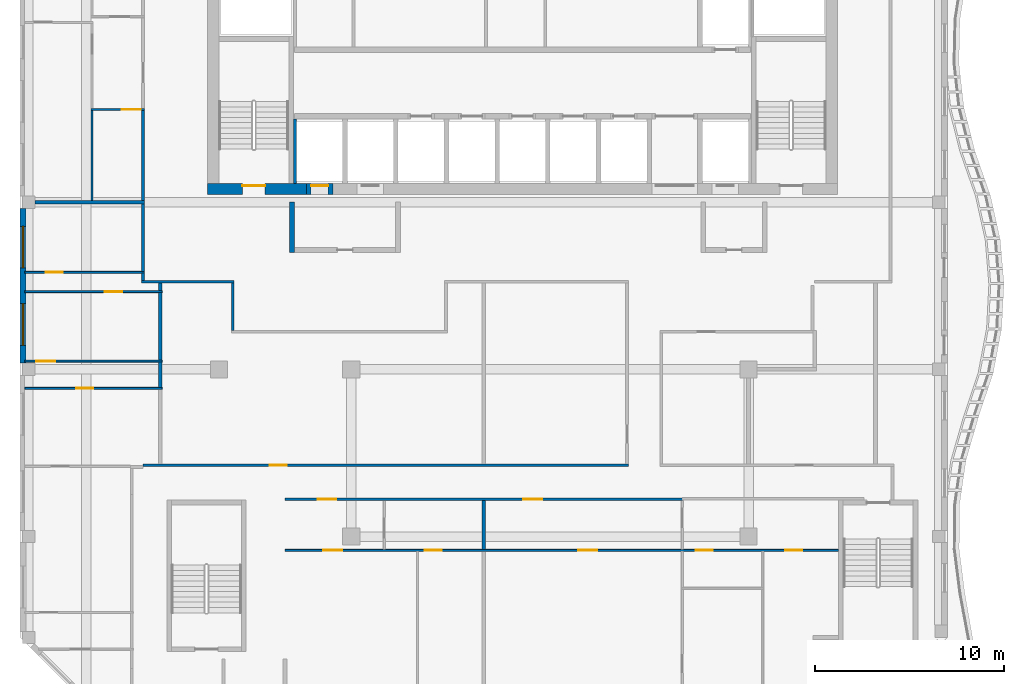
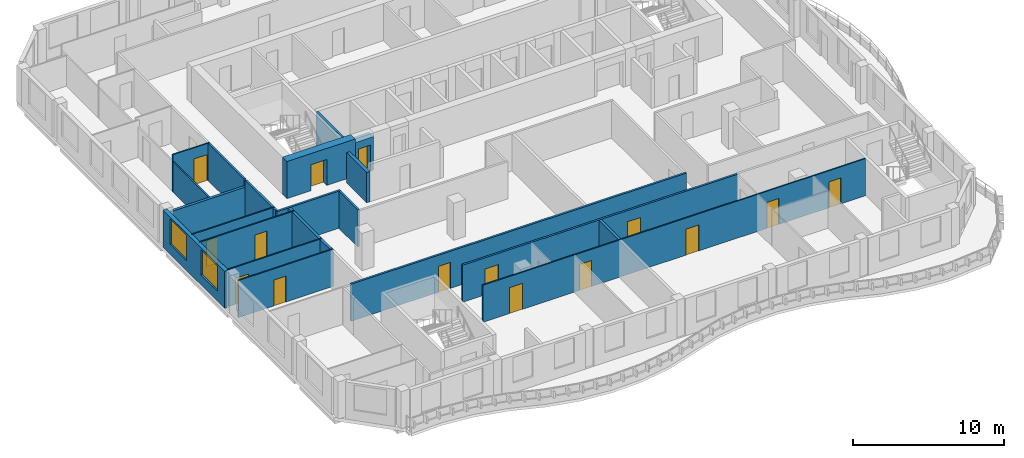
# One storey, part 3 of 13: 24 walls, 15 doors, 2 windows, 17 openings.
"""IFC4 building model written with IfcOpenShell, lengths in metres."""

from ifc_helpers import new_model, si_unit, direction, frame, frame_2d, origin, place, context, subcontext, project, spatial, rectangle, extrude, source, transform, mapped, material, layer, layer_set, type_object, element, fill, save


model = new_model("IFC4")

# Units and contexts
model_context = context("Model", 3, precision=1e-05, world=origin(), true_north=direction((0.0, 1.0)))
body_context = subcontext(model_context, "Body", "Model", "MODEL_VIEW")
ifc_project = project(units=[si_unit("LENGTHUNIT", "METRE"), si_unit("AREAUNIT", "SQUARE_METRE"), si_unit("VOLUMEUNIT", "CUBIC_METRE"), si_unit("PLANEANGLEUNIT", "RADIAN"), si_unit("MASSUNIT", "GRAM", prefix="KILO")], contexts=[model_context])

# Site, building, storey
site_placement = place(None, origin())
site = spatial("IfcSite", under=ifc_project, at=site_placement, CompositionType="ELEMENT")
building_placement = place(site_placement, origin())
building = spatial("IfcBuilding", under=site, at=building_placement, Name="Kilnfold Tower and Market Hall", CompositionType="ELEMENT")
storey_placement = place(building_placement, frame((0.0, 0.0, 287.39990234375)))
storey = spatial("IfcBuildingStorey", under=building, at=storey_placement, Name="L71", CompositionType="ELEMENT", Elevation=287.39990234375)

# Wall, opening, door
ifc_material_1 = material(Name="Gypsum board on steel studs", Category="steel")
ifc_layer_1 = layer(ifc_material_1, 0.14990234375)
ifc_layer_set_1 = layer_set([ifc_layer_1], Name="Gypsum board on steel studs")
wall_type_1 = type_object("IfcWallType", Name="WALL CORRIDOR 150", PredefinedType="PARTITIONING", material=ifc_layer_set_1)
wall_1_placement = place(storey_placement, frame((-19.0, -5.89990234375, 0.0), z_axis=(0.0, 0.0, 1.0), x_axis=(1.0, 0.0, 0.0)))
wall_1 = element("IfcWall", 1, at=wall_1_placement, inside=storey, type_object=wall_type_1, Name="Partition LY43.10", PredefinedType="PARTITIONING", context=body_context, shape_type="SweptSolid", body=[
    extrude(rectangle(XDim=25.655029296875, YDim=0.14990234375, at=frame_2d((12.82763671875, 0.0))), origin(), (0.0, 0.0, 1.0), 3.0),
])
opening_1_placement = place(wall_1_placement, frame((6.697021484375, 0.0, 0.0)))
opening_1 = element("IfcOpeningElement", 2, at=opening_1_placement, cuts=wall_1, Name="Opening D2", PredefinedType="OPENING", context=body_context, shape_type="SweptSolid", body=[
    extrude(rectangle(XDim=0.89990234375, YDim=2.10009765625, at=frame_2d((0.449951171875, 1.050048828125))), frame((0.0, 0.0849609375, 0.0), z_axis=(0.0, -1.0, 0.0), x_axis=(1.0, 0.0, 0.0)), (0.0, 0.0, 1.0), 0.169921875),
])
ifc_material_2 = material(Name="Timber veneer door leaf in steel frame", Category="steel")
door_type_1 = type_object("IfcDoorType", Name="DOOR ROOM 900 X2100", OperationType="NOTDEFINED", PredefinedType="DOOR", material=ifc_material_2)
door_1_placement = place(opening_1_placement, origin())
door_1 = element("IfcDoor", 3, at=door_1_placement, inside=storey, type_object=door_type_1, Name="Door D2", OperationType="SINGLE_SWING_LEFT", OverallHeight=2.10009765625, OverallWidth=0.89990234375, PredefinedType="DOOR", context=body_context, shape_type="SweptSolid", body=[
    extrude(rectangle(XDim=0.89990234375, YDim=2.10009765625, at=frame_2d((0.449951171875, 1.050048828125))), frame((0.0, 0.02490234375, 0.0), z_axis=(0.0, -1.0, 0.0), x_axis=(1.0, 0.0, 0.0)), (0.0, 0.0, 1.0), 0.050048828125),
])
fill(opening_1, door_1)

# Walls
wall_2_placement = place(storey_placement, frame((-19.074951171875, 3.800048828125, 0.0), z_axis=(0.0, 0.0, 1.0), x_axis=(1.0, 0.0, 0.0)))
element("IfcWall", 4, at=wall_2_placement, inside=storey, type_object=wall_type_1, Name="Partition LY43.11", PredefinedType="PARTITIONING", context=body_context, shape_type="SweptSolid", body=[
    extrude(rectangle(XDim=4.889892578125, YDim=0.14990234375, at=frame_2d((2.44482421875, 0.0))), origin(), (0.0, 0.0, 1.0), 3.0),
])
wall_3_placement = place(storey_placement, frame((-19.0, 3.875, 0.0), z_axis=(0.0, 0.0, 1.0), x_axis=(0.0, 1.0, 0.0)))
element("IfcWall", 5, at=wall_3_placement, inside=storey, type_object=wall_type_1, Name="Partition LY43.12", PredefinedType="PARTITIONING", context=body_context, shape_type="SweptSolid", body=[
    extrude(rectangle(XDim=0.376953125, YDim=0.14990234375, at=frame_2d((0.1884765625, 0.0))), origin(), (0.0, 0.0, 1.0), 3.0),
])
wall_4_placement = place(storey_placement, frame((-19.0, 4.33203125, 0.0), z_axis=(0.0, 0.0, 1.0), x_axis=(0.0, 1.0, 0.0)))
element("IfcWall", 6, at=wall_4_placement, inside=storey, type_object=wall_type_1, Name="Partition LY43.13", PredefinedType="PARTITIONING", context=body_context, shape_type="SweptSolid", body=[
    extrude(rectangle(XDim=3.577880859375, YDim=0.14990234375, at=frame_2d((1.7890625, 0.0))), origin(), (0.0, 0.0, 1.0), 3.0),
])

# Wall, openings, doors
wall_5_placement = place(storey_placement, frame((-11.510009765625, -7.699951171875, 0.0), z_axis=(0.0, 0.0, 1.0), x_axis=(1.0, 0.0, 0.0)))
wall_5 = element("IfcWall", 7, at=wall_5_placement, inside=storey, type_object=wall_type_1, Name="Partition LY43.14", PredefinedType="PARTITIONING", context=body_context, shape_type="SweptSolid", body=[
    extrude(rectangle(XDim=21.02001953125, YDim=0.14990234375, at=frame_2d((10.510009765625, 0.0))), origin(), (0.0, 0.0, 1.0), 3.0),
])
opening_2_placement = place(wall_5_placement, frame((1.72802734375, 0.0, 0.0)))
opening_2 = element("IfcOpeningElement", 8, at=opening_2_placement, cuts=wall_5, Name="Opening D1", PredefinedType="OPENING", context=body_context, shape_type="SweptSolid", body=[
    extrude(rectangle(XDim=1.0, YDim=2.10009765625, at=frame_2d((0.5, 1.050048828125))), frame((0.0, 0.0849609375, 0.0), z_axis=(0.0, -1.0, 0.0), x_axis=(1.0, 0.0, 0.0)), (0.0, 0.0, 1.0), 0.169921875),
])
opening_3_placement = place(wall_5_placement, frame((12.60400390625, 0.0, 0.0)))
opening_3 = element("IfcOpeningElement", 9, at=opening_3_placement, cuts=wall_5, Name="Opening D1", PredefinedType="OPENING", context=body_context, shape_type="SweptSolid", body=[
    extrude(rectangle(XDim=1.0, YDim=2.10009765625, at=frame_2d((0.5, 1.050048828125))), frame((0.0, 0.0849609375, 0.0), z_axis=(0.0, -1.0, 0.0), x_axis=(1.0, 0.0, 0.0)), (0.0, 0.0, 1.0), 0.169921875),
])
ifc_material_3 = material(Name="Timber veneer door leaf in steel frame", Category="steel")
door_type_2 = type_object("IfcDoorType", Name="DOOR ENTRY 1000 X2100", OperationType="NOTDEFINED", PredefinedType="DOOR", material=ifc_material_3)
door_2_placement = place(opening_2_placement, origin())
door_2 = element("IfcDoor", 10, at=door_2_placement, inside=storey, type_object=door_type_2, Name="Door D1", OperationType="SINGLE_SWING_RIGHT", OverallHeight=2.10009765625, OverallWidth=1.0, PredefinedType="DOOR", context=body_context, shape_type="SweptSolid", body=[
    extrude(rectangle(XDim=1.0, YDim=2.10009765625, at=frame_2d((0.5, 1.050048828125))), frame((0.0, 0.02490234375, 0.0), z_axis=(0.0, -1.0, 0.0), x_axis=(1.0, 0.0, 0.0)), (0.0, 0.0, 1.0), 0.050048828125),
])
fill(opening_2, door_2)
door_3_placement = place(opening_3_placement, origin())
door_3 = element("IfcDoor", 11, at=door_3_placement, inside=storey, type_object=door_type_2, Name="Door D1", OperationType="SINGLE_SWING_RIGHT", OverallHeight=2.10009765625, OverallWidth=1.0, PredefinedType="DOOR", context=body_context, shape_type="SweptSolid", body=[
    extrude(rectangle(XDim=1.0, YDim=2.10009765625, at=frame_2d((0.5, 1.050048828125))), frame((0.0, 0.02490234375, 0.0), z_axis=(0.0, -1.0, 0.0), x_axis=(1.0, 0.0, 0.0)), (0.0, 0.0, 1.0), 0.050048828125),
])
fill(opening_3, door_3)

# Walls
wall_6_placement = place(storey_placement, frame((-19.0, 8.090087890625, 0.0), z_axis=(0.0, 0.0, 1.0), x_axis=(0.0, 1.0, 0.0)))
element("IfcWall", 12, at=wall_6_placement, inside=storey, type_object=wall_type_1, Name="Partition LY43.20", PredefinedType="PARTITIONING", context=body_context, shape_type="SweptSolid", body=[
    extrude(rectangle(XDim=4.77001953125, YDim=0.14990234375, at=frame_2d((2.385009765625, 0.0))), origin(), (0.0, 0.0, 1.0), 3.0),
])
wall_7_placement = place(storey_placement, frame((-14.260009765625, 3.72509765625, 0.0), z_axis=(0.0, 0.0, 1.0), x_axis=(0.0, -1.0, 0.0)))
element("IfcWall", 13, at=wall_7_placement, inside=storey, type_object=wall_type_1, Name="Partition LY43.28", PredefinedType="PARTITIONING", context=body_context, shape_type="SweptSolid", body=[
    extrude(rectangle(XDim=2.5, YDim=0.14990234375, at=frame_2d((1.25, 0.0))), origin(), (0.0, 0.0, 1.0), 3.0),
])

# Wall, opening, door
ifc_material_4 = material(Name="Gypsum board on steel studs", Category="steel")
ifc_layer_2 = layer(ifc_material_4, 0.10009765625)
ifc_layer_set_2 = layer_set([ifc_layer_2], Name="Gypsum board on steel studs")
wall_type_2 = type_object("IfcWallType", Name="WALL PARTITION 100", PredefinedType="PARTITIONING", material=ifc_layer_set_2)
wall_8_placement = place(storey_placement, frame((-18.0, -1.842041015625, 0.0), z_axis=(0.0, 0.0, 1.0), x_axis=(-1.0, 0.0, 0.0)))
wall_8 = element("IfcWall", 14, at=wall_8_placement, inside=storey, type_object=wall_type_2, Name="Partition LY43.39", PredefinedType="PARTITIONING", context=body_context, shape_type="SweptSolid", body=[
    extrude(rectangle(XDim=7.25, YDim=0.10009765625, at=frame_2d((3.625, 0.0))), origin(), (0.0, 0.0, 1.0), 3.0),
])
opening_4_placement = place(wall_8_placement, frame((3.62890625, 0.0, 0.0)))
opening_4 = element("IfcOpeningElement", 15, at=opening_4_placement, cuts=wall_8, Name="Opening D2", PredefinedType="OPENING", context=body_context, shape_type="SweptSolid", body=[
    extrude(rectangle(XDim=0.89990234375, YDim=2.10009765625, at=frame_2d((0.449951171875, 1.050048828125))), frame((0.0, 0.06005859375, 0.0), z_axis=(0.0, -1.0, 0.0), x_axis=(1.0, 0.0, 0.0)), (0.0, 0.0, 1.0), 0.1201171875),
])
door_4_placement = place(opening_4_placement, origin())
door_4 = element("IfcDoor", 16, at=door_4_placement, inside=storey, type_object=door_type_1, Name="Door D2", OperationType="SINGLE_SWING_LEFT", OverallHeight=2.10009765625, OverallWidth=0.89990234375, PredefinedType="DOOR", context=body_context, shape_type="SweptSolid", body=[
    extrude(rectangle(XDim=0.89990234375, YDim=2.10009765625, at=frame_2d((0.449951171875, 1.050048828125))), frame((0.0, 0.02490234375, 0.0), z_axis=(0.0, -1.0, 0.0), x_axis=(1.0, 0.0, 0.0)), (0.0, 0.0, 1.0), 0.050048828125),
])
fill(opening_4, door_4)

wall_9_placement = place(storey_placement, frame((-18.0, -0.39990234375, 0.0), z_axis=(0.0, 0.0, 1.0), x_axis=(-1.0, 0.0, 0.0)))
wall_9 = element("IfcWall", 17, at=wall_9_placement, inside=storey, type_object=wall_type_2, Name="Partition LY43.41", PredefinedType="PARTITIONING", context=body_context, shape_type="SweptSolid", body=[
    extrude(rectangle(XDim=7.25, YDim=0.10009765625, at=frame_2d((3.625, 0.0))), origin(), (0.0, 0.0, 1.0), 3.0),
])
opening_5_placement = place(wall_9_placement, frame((5.64697265625, 0.0, 0.0)))
opening_5 = element("IfcOpeningElement", 18, at=opening_5_placement, cuts=wall_9, Name="Opening D1", PredefinedType="OPENING", context=body_context, shape_type="SweptSolid", body=[
    extrude(rectangle(XDim=1.0, YDim=2.10009765625, at=frame_2d((0.5, 1.050048828125))), frame((0.0, 0.06005859375, 0.0), z_axis=(0.0, -1.0, 0.0), x_axis=(1.0, 0.0, 0.0)), (0.0, 0.0, 1.0), 0.1201171875),
])
door_5_placement = place(opening_5_placement, origin())
door_5 = element("IfcDoor", 19, at=door_5_placement, inside=storey, type_object=door_type_2, Name="Door D1", OperationType="SINGLE_SWING_LEFT", OverallHeight=2.10009765625, OverallWidth=1.0, PredefinedType="DOOR", context=body_context, shape_type="SweptSolid", body=[
    extrude(rectangle(XDim=1.0, YDim=2.10009765625, at=frame_2d((0.5, 1.050048828125))), frame((0.0, 0.02490234375, 0.0), z_axis=(0.0, -1.0, 0.0), x_axis=(1.0, 0.0, 0.0)), (0.0, 0.0, 1.0), 0.050048828125),
])
fill(opening_5, door_5)

wall_10_placement = place(storey_placement, frame((-18.0, 3.27490234375, 0.0), z_axis=(0.0, 0.0, 1.0), x_axis=(-1.0, 0.0, 0.0)))
wall_10 = element("IfcWall", 20, at=wall_10_placement, inside=storey, type_object=wall_type_2, Name="Partition LY43.43", PredefinedType="PARTITIONING", context=body_context, shape_type="SweptSolid", body=[
    extrude(rectangle(XDim=7.25, YDim=0.10009765625, at=frame_2d((3.625, 0.0))), origin(), (0.0, 0.0, 1.0), 3.0),
])
opening_6_placement = place(wall_10_placement, frame((2.115966796875, 0.0, 0.0)))
opening_6 = element("IfcOpeningElement", 21, at=opening_6_placement, cuts=wall_10, Name="Opening D2", PredefinedType="OPENING", context=body_context, shape_type="SweptSolid", body=[
    extrude(rectangle(XDim=0.89990234375, YDim=2.10009765625, at=frame_2d((0.449951171875, 1.050048828125))), frame((0.0, 0.06005859375, 0.0), z_axis=(0.0, -1.0, 0.0), x_axis=(1.0, 0.0, 0.0)), (0.0, 0.0, 1.0), 0.1201171875),
])
door_6_placement = place(opening_6_placement, origin())
door_6 = element("IfcDoor", 22, at=door_6_placement, inside=storey, type_object=door_type_1, Name="Door D2", OperationType="SINGLE_SWING_RIGHT", OverallHeight=2.10009765625, OverallWidth=0.89990234375, PredefinedType="DOOR", context=body_context, shape_type="SweptSolid", body=[
    extrude(rectangle(XDim=0.89990234375, YDim=2.10009765625, at=frame_2d((0.449951171875, 1.050048828125))), frame((0.0, 0.02490234375, 0.0), z_axis=(0.0, -1.0, 0.0), x_axis=(1.0, 0.0, 0.0)), (0.0, 0.0, 1.0), 0.050048828125),
])
fill(opening_6, door_6)

wall_11_placement = place(storey_placement, frame((-18.927001953125, 4.2919921875, 0.0), z_axis=(0.0, 0.0, 1.0), x_axis=(-1.0, 0.0, 0.0)))
wall_11 = element("IfcWall", 23, at=wall_11_placement, inside=storey, type_object=wall_type_2, Name="Partition LY43.45", PredefinedType="PARTITIONING", context=body_context, shape_type="SweptSolid", body=[
    extrude(rectangle(XDim=6.322998046875, YDim=0.10009765625, at=frame_2d((3.16162109375, 0.0))), origin(), (0.0, 0.0, 1.0), 3.0),
])
opening_7_placement = place(wall_11_placement, frame((4.319091796875, 0.0, 0.0)))
opening_7 = element("IfcOpeningElement", 24, at=opening_7_placement, cuts=wall_11, Name="Opening D2", PredefinedType="OPENING", context=body_context, shape_type="SweptSolid", body=[
    extrude(rectangle(XDim=0.89990234375, YDim=2.10009765625, at=frame_2d((0.449951171875, 1.050048828125))), frame((0.0, 0.06005859375, 0.0), z_axis=(0.0, -1.0, 0.0), x_axis=(1.0, 0.0, 0.0)), (0.0, 0.0, 1.0), 0.1201171875),
])
door_7_placement = place(opening_7_placement, origin())
door_7 = element("IfcDoor", 25, at=door_7_placement, inside=storey, type_object=door_type_1, Name="Door D2", OperationType="SINGLE_SWING_RIGHT", OverallHeight=2.10009765625, OverallWidth=0.89990234375, PredefinedType="DOOR", context=body_context, shape_type="SweptSolid", body=[
    extrude(rectangle(XDim=0.89990234375, YDim=2.10009765625, at=frame_2d((0.449951171875, 1.050048828125))), frame((0.0, 0.02490234375, 0.0), z_axis=(0.0, -1.0, 0.0), x_axis=(1.0, 0.0, 0.0)), (0.0, 0.0, 1.0), 0.050048828125),
])
fill(opening_7, door_7)

# Wall, openings, doors
wall_12_placement = place(storey_placement, frame((-11.5, -10.39990234375, 0.0), z_axis=(0.0, 0.0, 1.0), x_axis=(1.0, 0.0, 0.0)))
wall_12 = element("IfcWall", 26, at=wall_12_placement, inside=storey, type_object=wall_type_2, Name="Partition LY43.49", PredefinedType="PARTITIONING", context=body_context, shape_type="SweptSolid", body=[
    extrude(rectangle(XDim=29.25, YDim=0.10009765625, at=frame_2d((14.625, 0.0))), origin(), (0.0, 0.0, 1.0), 3.0),
])
opening_8_placement = place(wall_12_placement, frame((2.02392578125, 0.0, 0.0)))
opening_8 = element("IfcOpeningElement", 27, at=opening_8_placement, cuts=wall_12, Name="Opening D1", PredefinedType="OPENING", context=body_context, shape_type="SweptSolid", body=[
    extrude(rectangle(XDim=1.0, YDim=2.10009765625, at=frame_2d((0.5, 1.050048828125))), frame((0.0, 0.06005859375, 0.0), z_axis=(0.0, -1.0, 0.0), x_axis=(1.0, 0.0, 0.0)), (0.0, 0.0, 1.0), 0.1201171875),
])
opening_9_placement = place(wall_12_placement, frame((7.39111328125, 0.0, 0.0)))
opening_9 = element("IfcOpeningElement", 28, at=opening_9_placement, cuts=wall_12, Name="Opening D2", PredefinedType="OPENING", context=body_context, shape_type="SweptSolid", body=[
    extrude(rectangle(XDim=0.89990234375, YDim=2.10009765625, at=frame_2d((0.449951171875, 1.050048828125))), frame((0.0, 0.06005859375, 0.0), z_axis=(0.0, -1.0, 0.0), x_axis=(1.0, 0.0, 0.0)), (0.0, 0.0, 1.0), 0.1201171875),
])
opening_10_placement = place(wall_12_placement, frame((15.5, 0.0, 0.0)))
opening_10 = element("IfcOpeningElement", 29, at=opening_10_placement, cuts=wall_12, Name="Opening D1", PredefinedType="OPENING", context=body_context, shape_type="SweptSolid", body=[
    extrude(rectangle(XDim=1.0, YDim=2.10009765625, at=frame_2d((0.5, 1.050048828125))), frame((0.0, 0.06005859375, 0.0), z_axis=(0.0, -1.0, 0.0), x_axis=(1.0, 0.0, 0.0)), (0.0, 0.0, 1.0), 0.1201171875),
])
opening_11_placement = place(wall_12_placement, frame((21.7099609375, 0.0, 0.0)))
opening_11 = element("IfcOpeningElement", 30, at=opening_11_placement, cuts=wall_12, Name="Opening D2", PredefinedType="OPENING", context=body_context, shape_type="SweptSolid", body=[
    extrude(rectangle(XDim=0.89990234375, YDim=2.10009765625, at=frame_2d((0.449951171875, 1.050048828125))), frame((0.0, 0.06005859375, 0.0), z_axis=(0.0, -1.0, 0.0), x_axis=(1.0, 0.0, 0.0)), (0.0, 0.0, 1.0), 0.1201171875),
])
opening_12_placement = place(wall_12_placement, frame((26.444091796875, 0.0, 0.0)))
opening_12 = element("IfcOpeningElement", 31, at=opening_12_placement, cuts=wall_12, Name="Opening D2", PredefinedType="OPENING", context=body_context, shape_type="SweptSolid", body=[
    extrude(rectangle(XDim=0.89990234375, YDim=2.10009765625, at=frame_2d((0.449951171875, 1.050048828125))), frame((0.0, 0.06005859375, 0.0), z_axis=(0.0, -1.0, 0.0), x_axis=(1.0, 0.0, 0.0)), (0.0, 0.0, 1.0), 0.1201171875),
])
door_8_placement = place(opening_8_placement, origin())
door_8 = element("IfcDoor", 32, at=door_8_placement, inside=storey, type_object=door_type_2, Name="Door D1", OperationType="SINGLE_SWING_LEFT", OverallHeight=2.10009765625, OverallWidth=1.0, PredefinedType="DOOR", context=body_context, shape_type="SweptSolid", body=[
    extrude(rectangle(XDim=1.0, YDim=2.10009765625, at=frame_2d((0.5, 1.050048828125))), frame((0.0, 0.02490234375, 0.0), z_axis=(0.0, -1.0, 0.0), x_axis=(1.0, 0.0, 0.0)), (0.0, 0.0, 1.0), 0.050048828125),
])
fill(opening_8, door_8)
door_9_placement = place(opening_10_placement, origin())
door_9 = element("IfcDoor", 33, at=door_9_placement, inside=storey, type_object=door_type_2, Name="Door D1", OperationType="SINGLE_SWING_LEFT", OverallHeight=2.10009765625, OverallWidth=1.0, PredefinedType="DOOR", context=body_context, shape_type="SweptSolid", body=[
    extrude(rectangle(XDim=1.0, YDim=2.10009765625, at=frame_2d((0.5, 1.050048828125))), frame((0.0, 0.02490234375, 0.0), z_axis=(0.0, -1.0, 0.0), x_axis=(1.0, 0.0, 0.0)), (0.0, 0.0, 1.0), 0.050048828125),
])
fill(opening_10, door_9)
door_10_placement = place(opening_9_placement, origin())
door_10 = element("IfcDoor", 34, at=door_10_placement, inside=storey, type_object=door_type_1, Name="Door D2", OperationType="SINGLE_SWING_LEFT", OverallHeight=2.10009765625, OverallWidth=0.89990234375, PredefinedType="DOOR", context=body_context, shape_type="SweptSolid", body=[
    extrude(rectangle(XDim=0.89990234375, YDim=2.10009765625, at=frame_2d((0.449951171875, 1.050048828125))), frame((0.0, 0.02490234375, 0.0), z_axis=(0.0, -1.0, 0.0), x_axis=(1.0, 0.0, 0.0)), (0.0, 0.0, 1.0), 0.050048828125),
])
fill(opening_9, door_10)
door_11_placement = place(opening_11_placement, origin())
door_11 = element("IfcDoor", 35, at=door_11_placement, inside=storey, type_object=door_type_1, Name="Door D2", OperationType="SINGLE_SWING_RIGHT", OverallHeight=2.10009765625, OverallWidth=0.89990234375, PredefinedType="DOOR", context=body_context, shape_type="SweptSolid", body=[
    extrude(rectangle(XDim=0.89990234375, YDim=2.10009765625, at=frame_2d((0.449951171875, 1.050048828125))), frame((0.0, 0.02490234375, 0.0), z_axis=(0.0, -1.0, 0.0), x_axis=(1.0, 0.0, 0.0)), (0.0, 0.0, 1.0), 0.050048828125),
])
fill(opening_11, door_11)
door_12_placement = place(opening_12_placement, origin())
door_12 = element("IfcDoor", 36, at=door_12_placement, inside=storey, type_object=door_type_1, Name="Door D2", OperationType="SINGLE_SWING_LEFT", OverallHeight=2.10009765625, OverallWidth=0.89990234375, PredefinedType="DOOR", context=body_context, shape_type="SweptSolid", body=[
    extrude(rectangle(XDim=0.89990234375, YDim=2.10009765625, at=frame_2d((0.449951171875, 1.050048828125))), frame((0.0, 0.02490234375, 0.0), z_axis=(0.0, -1.0, 0.0), x_axis=(1.0, 0.0, 0.0)), (0.0, 0.0, 1.0), 0.050048828125),
])
fill(opening_12, door_12)

# Wall, opening, door
wall_13_placement = place(storey_placement, frame((-18.927001953125, 12.89990234375, 0.0), z_axis=(0.0, 0.0, 1.0), x_axis=(-1.0, 0.0, 0.0)))
wall_13 = element("IfcWall", 37, at=wall_13_placement, inside=storey, type_object=wall_type_2, Name="Partition LY43.71", PredefinedType="PARTITIONING", context=body_context, shape_type="SweptSolid", body=[
    extrude(rectangle(XDim=2.822998046875, YDim=0.10009765625, at=frame_2d((1.41162109375, 0.0))), origin(), (0.0, 0.0, 1.0), 3.0),
])
opening_13_placement = place(wall_13_placement, frame((0.199951171875, 0.0, 0.0)))
opening_13 = element("IfcOpeningElement", 38, at=opening_13_placement, cuts=wall_13, Name="Opening D1", PredefinedType="OPENING", context=body_context, shape_type="SweptSolid", body=[
    extrude(rectangle(XDim=1.0, YDim=2.10009765625, at=frame_2d((0.5, 1.050048828125))), frame((0.0, 0.06005859375, 0.0), z_axis=(0.0, -1.0, 0.0), x_axis=(1.0, 0.0, 0.0)), (0.0, 0.0, 1.0), 0.1201171875),
])
door_13_placement = place(opening_13_placement, origin())
door_13 = element("IfcDoor", 39, at=door_13_placement, inside=storey, type_object=door_type_2, Name="Door D1", OperationType="SINGLE_SWING_RIGHT", OverallHeight=2.10009765625, OverallWidth=1.0, PredefinedType="DOOR", context=body_context, shape_type="SweptSolid", body=[
    extrude(rectangle(XDim=1.0, YDim=2.10009765625, at=frame_2d((0.5, 1.050048828125))), frame((0.0, 0.02490234375, 0.0), z_axis=(0.0, -1.0, 0.0), x_axis=(1.0, 0.0, 0.0)), (0.0, 0.0, 1.0), 0.050048828125),
])
fill(opening_13, door_13)

# Walls
wall_14_placement = place(storey_placement, frame((-21.699951171875, 8.10009765625, 0.0), z_axis=(0.0, 0.0, 1.0), x_axis=(0.0, 1.0, 0.0)))
element("IfcWall", 40, at=wall_14_placement, inside=storey, type_object=wall_type_2, Name="Partition LY43.72", PredefinedType="PARTITIONING", context=body_context, shape_type="SweptSolid", body=[
    extrude(rectangle(XDim=4.75, YDim=0.10009765625, at=frame_2d((2.375, 0.0))), origin(), (0.0, 0.0, 1.0), 2.4501953125),
])
ifc_material_5 = material(Name="Gypsum board on steel studs", Category="steel")
ifc_layer_3 = layer(ifc_material_5, 0.199951171875)
ifc_layer_set_3 = layer_set([ifc_layer_3], Name="Gypsum board on steel studs")
wall_type_3 = type_object("IfcWallType", Name="WALL PARTY 200", PredefinedType="PARTITIONING", material=ifc_layer_set_3)
wall_15_placement = place(storey_placement, frame((-18.10009765625, -1.7919921875, 0.0), z_axis=(0.0, 0.0, 1.0), x_axis=(0.0, 1.0, 0.0)))
element("IfcWall", 41, at=wall_15_placement, inside=storey, type_object=wall_type_3, Name="Partition LY43.42", PredefinedType="PARTITIONING", context=body_context, shape_type="SweptSolid", body=[
    extrude(rectangle(XDim=1.342041015625, YDim=0.199951171875, at=frame_2d((0.6708984375, 0.0))), origin(), (0.0, 0.0, 1.0), 3.0),
])
wall_16_placement = place(storey_placement, frame((-18.10009765625, -0.35009765625, 0.0), z_axis=(0.0, 0.0, 1.0), x_axis=(0.0, 1.0, 0.0)))
element("IfcWall", 42, at=wall_16_placement, inside=storey, type_object=wall_type_3, Name="Partition LY43.44", PredefinedType="PARTITIONING", context=body_context, shape_type="SweptSolid", body=[
    extrude(rectangle(XDim=3.5751953125, YDim=0.199951171875, at=frame_2d((1.78759765625, 0.0))), origin(), (0.0, 0.0, 1.0), 3.0),
])
wall_17_placement = place(storey_placement, frame((-18.10009765625, 3.324951171875, 0.0), z_axis=(0.0, 0.0, 1.0), x_axis=(0.0, 1.0, 0.0)))
element("IfcWall", 43, at=wall_17_placement, inside=storey, type_object=wall_type_3, Name="Partition LY43.46", PredefinedType="PARTITIONING", context=body_context, shape_type="SweptSolid", body=[
    extrude(rectangle(XDim=0.39794921875, YDim=0.199951171875, at=frame_2d((0.198974609375, 0.0))), origin(), (0.0, 0.0, 1.0), 3.0),
])
wall_18_placement = place(storey_placement, frame((-24.72509765625, 8.0, 0.0), z_axis=(0.0, 0.0, 1.0), x_axis=(1.0, 0.0, 0.0)))
element("IfcWall", 44, at=wall_18_placement, inside=storey, type_object=wall_type_3, Name="Partition LY43.47", PredefinedType="PARTITIONING", context=body_context, shape_type="SweptSolid", body=[
    extrude(rectangle(XDim=5.798095703125, YDim=0.199951171875, at=frame_2d((2.89892578125, 0.0))), origin(), (0.0, 0.0, 1.0), 2.4501953125),
])
wall_19_placement = place(storey_placement, frame((-1.0, -10.35009765625, 0.0), z_axis=(0.0, 0.0, 1.0), x_axis=(0.0, 1.0, 0.0)))
element("IfcWall", 45, at=wall_19_placement, inside=storey, type_object=wall_type_3, Name="Partition LY43.50", PredefinedType="PARTITIONING", context=body_context, shape_type="SweptSolid", body=[
    extrude(rectangle(XDim=2.572998046875, YDim=0.199951171875, at=frame_2d((1.28662109375, 0.0))), origin(), (0.0, 0.0, 1.0), 3.0),
])

# Wall, opening, door
ifc_material_6 = material(Name="Concrete C50", Category="concrete")
ifc_layer_4 = layer(ifc_material_6, 0.60009765625)
ifc_layer_set_4 = layer_set([ifc_layer_4], Name="Concrete C50")
wall_type_4 = type_object("IfcWallType", Name="CORE WALL 600 C50", PredefinedType="SHEAR", material=ifc_layer_set_4)
shared_shape_1 = source(origin(), body_context, "Body", "SweptSolid", [
    extrude(rectangle(XDim=5.22998046875, YDim=0.60009765625, at=frame_2d((2.614990234375, 0.0))), origin(), (0.0, 0.0, 1.0), 3.0),
])
wall_20_placement = place(storey_placement, frame((-15.60009765625, 8.699951171875, 0.0), z_axis=(0.0, 0.0, 1.0), x_axis=(1.0, 0.0, 0.0)))
wall_20 = element("IfcWall", 46, at=wall_20_placement, inside=storey, type_object=wall_type_4, Name="Core outer wall south", PredefinedType="SHEAR", context=body_context, shape_type="MappedRepresentation", body=[
    mapped(shared_shape_1, transform((0.0, 0.0, 0.0))),
])
opening_14_placement = place(wall_20_placement, frame((1.85009765625, 0.0, 0.0)))
opening_14 = element("IfcOpeningElement", 47, at=opening_14_placement, cuts=wall_20, Name="Opening SD1", PredefinedType="OPENING", context=body_context, shape_type="SweptSolid", body=[
    extrude(rectangle(XDim=1.199951171875, YDim=2.10009765625, at=frame_2d((0.60009765625, 1.050048828125))), frame((0.0, 0.31005859375, 0.0), z_axis=(0.0, -1.0, 0.0), x_axis=(1.0, 0.0, 0.0)), (0.0, 0.0, 1.0), 0.6201171875),
])
ifc_material_7 = material(Name="Steel door set with fire-resisting leaf", Category="steel")
door_type_3 = type_object("IfcDoorType", Name="STAIR FLOOR DOOR 1200X2100", OperationType="NOTDEFINED", PredefinedType="DOOR", material=ifc_material_7)
door_14_placement = place(opening_14_placement, origin())
door_14 = element("IfcDoor", 48, at=door_14_placement, inside=storey, type_object=door_type_3, Name="Exit stair ST1 door", OperationType="DOUBLE_DOOR_SINGLE_SWING", OverallHeight=2.10009765625, OverallWidth=1.199951171875, PredefinedType="DOOR", context=body_context, shape_type="SweptSolid", body=[
    extrude(rectangle(XDim=1.199951171875, YDim=2.10009765625, at=frame_2d((0.60009765625, 1.050048828125))), frame((0.0, 0.205078125, 0.0), z_axis=(0.0, -1.0, 0.0), x_axis=(1.0, 0.0, 0.0)), (0.0, 0.0, 1.0), 0.050048828125),
])
fill(opening_14, door_14)

# Wall, openings, windows
ifc_material_8 = material(Name="Precast concrete C50/60", Category="concrete")
ifc_layer_5 = layer(ifc_material_8, 0.300048828125)
ifc_layer_set_5 = layer_set([ifc_layer_5], Name="Precast concrete C50/60")
wall_type_5 = type_object("IfcWallType", Name="PRECAST WALL 300", PredefinedType="SOLIDWALL", material=ifc_layer_set_5)
shared_shape_2 = source(origin(), body_context, "Body", "SweptSolid", [
    extrude(rectangle(XDim=8.183349609375, YDim=0.300048828125, at=frame_2d((4.091796875, 0.0))), origin(), (0.0, 0.0, 1.0), 3.0),
])
wall_21_placement = place(storey_placement, frame((-25.35009765625, 7.675048828125, 0.0), z_axis=(0.0, 0.0, 1.0), x_axis=(0.0, -1.0, 0.0)))
wall_21 = element("IfcWall", 49, at=wall_21_placement, inside=storey, type_object=wall_type_5, Name="External wall L71 W", PredefinedType="SOLIDWALL", context=body_context, shape_type="MappedRepresentation", body=[
    mapped(shared_shape_2, transform((0.0, 0.0, 0.0))),
])
opening_15_placement = place(wall_21_placement, frame((0.94580078125, 0.0, 0.800048828125)))
opening_15 = element("IfcOpeningElement", 50, at=opening_15_placement, cuts=wall_21, Name="Opening W3", PredefinedType="OPENING", context=body_context, shape_type="SweptSolid", body=[
    extrude(rectangle(XDim=2.199951171875, YDim=2.050048828125, at=frame_2d((1.10009765625, 1.02490234375))), frame((0.0, 0.16015625, 0.0), z_axis=(0.0, -1.0, 0.0), x_axis=(1.0, 0.0, 0.0)), (0.0, 0.0, 1.0), 0.320068359375),
])
opening_16_placement = place(wall_21_placement, frame((5.037353515625, 0.0, 0.800048828125)))
opening_16 = element("IfcOpeningElement", 51, at=opening_16_placement, cuts=wall_21, Name="Opening W3", PredefinedType="OPENING", context=body_context, shape_type="SweptSolid", body=[
    extrude(rectangle(XDim=2.199951171875, YDim=2.050048828125, at=frame_2d((1.10009765625, 1.02490234375))), frame((0.0, 0.16015625, 0.0), z_axis=(0.0, -1.0, 0.0), x_axis=(1.0, 0.0, 0.0)), (0.0, 0.0, 1.0), 0.320068359375),
])
ifc_material_9 = material(Name="Aluminium frame and double glazing", Category="aluminium")
window_type = type_object("IfcWindowType", Name="WINDOW W3 2200X2050", PartitioningType="SINGLE_PANEL", PredefinedType="WINDOW", material=ifc_material_9)
window_1_placement = place(opening_15_placement, origin())
window_1 = element("IfcWindow", 52, at=window_1_placement, inside=storey, type_object=window_type, Name="Window W3 L71 W-1", OverallHeight=2.050048828125, OverallWidth=2.199951171875, PartitioningType="SINGLE_PANEL", PredefinedType="WINDOW", context=body_context, shape_type="SweptSolid", body=[
    extrude(rectangle(XDim=2.199951171875, YDim=2.050048828125, at=frame_2d((1.10009765625, 1.02490234375))), frame((0.0, 0.030029296875, 0.0), z_axis=(0.0, -1.0, 0.0), x_axis=(1.0, 0.0, 0.0)), (0.0, 0.0, 1.0), 0.06005859375),
])
fill(opening_15, window_1)
window_2_placement = place(opening_16_placement, origin())
window_2 = element("IfcWindow", 53, at=window_2_placement, inside=storey, type_object=window_type, Name="Window W3 L71 W-2", OverallHeight=2.050048828125, OverallWidth=2.199951171875, PartitioningType="SINGLE_PANEL", PredefinedType="WINDOW", context=body_context, shape_type="SweptSolid", body=[
    extrude(rectangle(XDim=2.199951171875, YDim=2.050048828125, at=frame_2d((1.10009765625, 1.02490234375))), frame((0.0, 0.030029296875, 0.0), z_axis=(0.0, -1.0, 0.0), x_axis=(1.0, 0.0, 0.0)), (0.0, 0.0, 1.0), 0.06005859375),
])
fill(opening_16, window_2)

# Walls
ifc_material_10 = material(Name="Gypsum shaft wall system")
ifc_layer_6 = layer(ifc_material_10, 0.1650390625)
ifc_layer_set_6 = layer_set([ifc_layer_6], Name="Gypsum shaft wall system")
wall_type_6 = type_object("IfcWallType", Name="SHAFT WALL 165", PredefinedType="PARTITIONING", material=ifc_layer_set_6)
shared_shape_3 = source(origin(), body_context, "Body", "SweptSolid", [
    extrude(rectangle(XDim=3.39990234375, YDim=0.1650390625, at=frame_2d((1.699951171875, 0.0))), origin(), (0.0, 0.0, 1.0), 3.0),
])
wall_22_placement = place(storey_placement, frame((-10.967529296875, 9.0, 0.0), z_axis=(0.0, 0.0, 1.0), x_axis=(0.0, 1.0, 0.0)))
element("IfcWall", 54, at=wall_22_placement, inside=storey, type_object=wall_type_6, Name="Lift shaft wall", PredefinedType="PARTITIONING", context=body_context, shape_type="MappedRepresentation", body=[
    mapped(shared_shape_3, transform((0.0, 0.0, 0.0))),
])
ifc_material_11 = material(Name="Gypsum shaft wall system")
ifc_layer_7 = layer(ifc_material_11, 0.25)
ifc_layer_set_7 = layer_set([ifc_layer_7], Name="Gypsum shaft wall system")
wall_type_7 = type_object("IfcWallType", Name="LOBBY WALL 250", PredefinedType="PARTITIONING", material=ifc_layer_set_7)
shared_shape_4 = source(origin(), body_context, "Body", "SweptSolid", [
    extrude(rectangle(XDim=2.64990234375, YDim=0.25, at=frame_2d((1.324951171875, 0.0))), origin(), (0.0, 0.0, 1.0), 2.4501953125),
])
wall_23_placement = place(storey_placement, frame((-11.135009765625, 5.35009765625, 0.0), z_axis=(0.0, 0.0, 1.0), x_axis=(0.0, 1.0, 0.0)))
element("IfcWall", 55, at=wall_23_placement, inside=storey, type_object=wall_type_7, Name="Firefighting lobby wall", PredefinedType="PARTITIONING", context=body_context, shape_type="MappedRepresentation", body=[
    mapped(shared_shape_4, transform((0.0, 0.0, 0.0))),
])

# Wall, opening, door
ifc_material_12 = material(Name="Gypsum shaft wall system")
ifc_layer_8 = layer(ifc_material_12, 0.60009765625)
ifc_layer_set_8 = layer_set([ifc_layer_8], Name="Gypsum shaft wall system")
wall_type_8 = type_object("IfcWallType", Name="LOBBY WALL 600", PredefinedType="PARTITIONING", material=ifc_layer_set_8)
shared_shape_5 = source(origin(), body_context, "Body", "SweptSolid", [
    extrude(rectangle(XDim=1.400146484375, YDim=0.60009765625, at=frame_2d((0.7001953125, 0.0))), origin(), (0.0, 0.0, 1.0), 2.7001953125),
])
wall_24_placement = place(storey_placement, frame((-10.3701171875, 8.699951171875, 0.0), z_axis=(0.0, 0.0, 1.0), x_axis=(1.0, 0.0, 0.0)))
wall_24 = element("IfcWall", 56, at=wall_24_placement, inside=storey, type_object=wall_type_8, Name="Core wall infill", PredefinedType="PARTITIONING", context=body_context, shape_type="MappedRepresentation", body=[
    mapped(shared_shape_5, transform((0.0, 0.0, 0.0))),
])
opening_17_placement = place(wall_24_placement, frame((0.25, 0.0, 0.0)))
opening_17 = element("IfcOpeningElement", 57, at=opening_17_placement, cuts=wall_24, Name="Opening LD1", PredefinedType="OPENING", context=body_context, shape_type="SweptSolid", body=[
    extrude(rectangle(XDim=0.89990234375, YDim=2.10009765625, at=frame_2d((0.449951171875, 1.050048828125))), frame((0.0, 0.31005859375, 0.0), z_axis=(0.0, -1.0, 0.0), x_axis=(1.0, 0.0, 0.0)), (0.0, 0.0, 1.0), 0.6201171875),
])
ifc_material_13 = material(Name="Steel door set with fire-resisting leaf", Category="steel")
door_type_4 = type_object("IfcDoorType", Name="FIREFIGHTING LANDING DOOR 900X2100", OperationType="NOTDEFINED", PredefinedType="DOOR", material=ifc_material_13)
door_15_placement = place(opening_17_placement, origin())
door_15 = element("IfcDoor", 58, at=door_15_placement, inside=storey, type_object=door_type_4, Name="Landing door FF1", OperationType="SLIDING_TO_LEFT", OverallHeight=2.10009765625, OverallWidth=0.89990234375, PredefinedType="DOOR", context=body_context, shape_type="SweptSolid", body=[
    extrude(rectangle(XDim=0.89990234375, YDim=2.10009765625, at=frame_2d((0.449951171875, 1.050048828125))), frame((0.0, 0.205078125, 0.0), z_axis=(0.0, -1.0, 0.0), x_axis=(1.0, 0.0, 0.0)), (0.0, 0.0, 1.0), 0.050048828125),
])
fill(opening_17, door_15)

save(model, "model.ifc")
